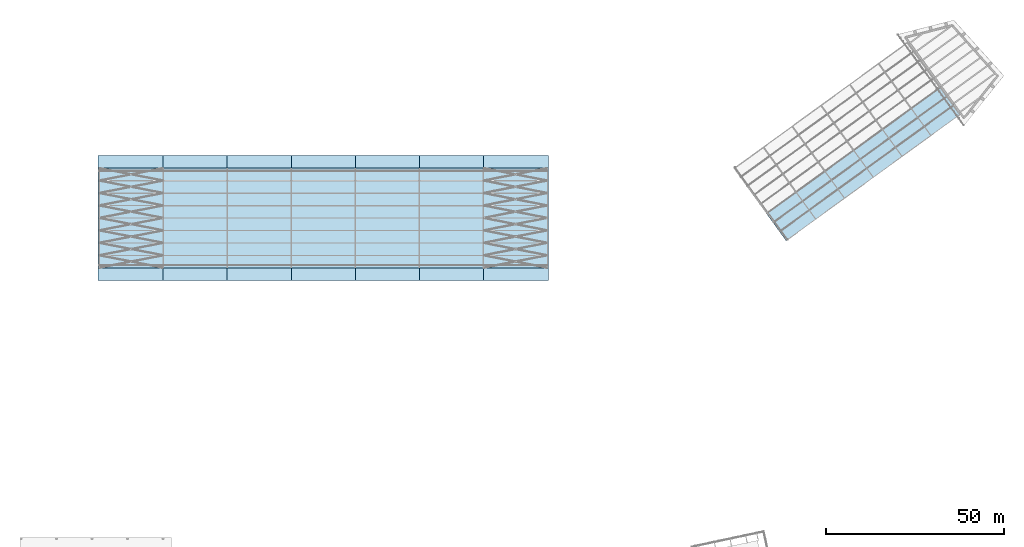
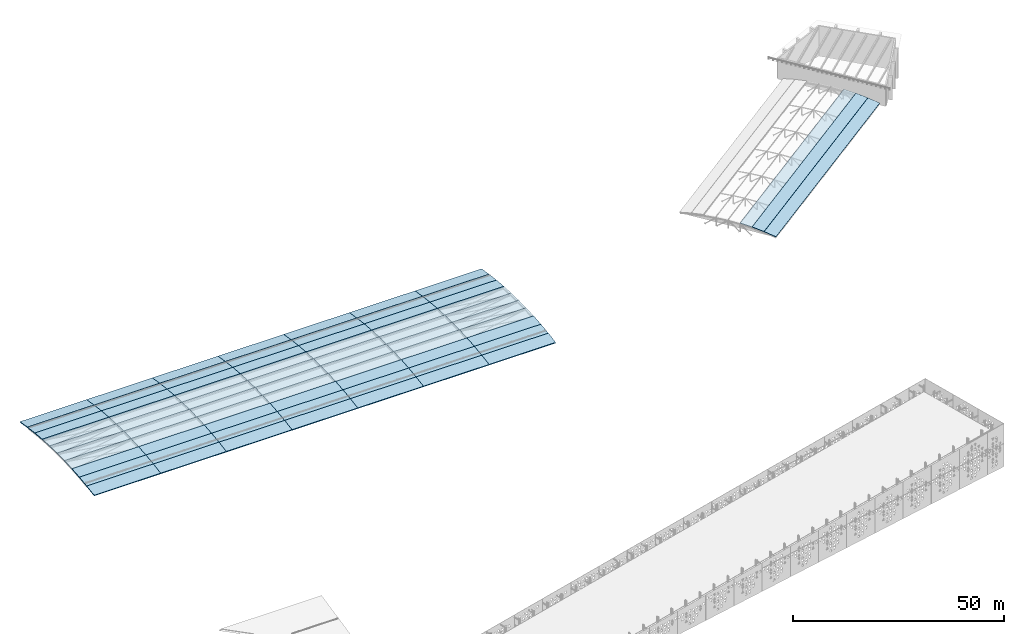
# One storey, part 29 of 41: 73 slabs.
"""IFC4 building model written with IfcOpenShell, lengths in metres."""

from ifc_helpers import new_model, si_unit, direction, frame, origin, place, context, subcontext, project, spatial, polyline, outline, extrude, material, layer, layer_set, type_object, element, save


model = new_model("IFC4")

# Units and contexts
model_context = context("Model", 3, precision=1e-05, world=origin(), true_north=direction((0.0, 1.0)))
body_context = subcontext(model_context, "Body", "Model", "MODEL_VIEW")
ifc_project = project(units=[si_unit("LENGTHUNIT", "METRE"), si_unit("AREAUNIT", "SQUARE_METRE"), si_unit("VOLUMEUNIT", "CUBIC_METRE"), si_unit("PLANEANGLEUNIT", "RADIAN"), si_unit("MASSUNIT", "GRAM", prefix="KILO")], contexts=[model_context])

# Site, building, storey
site_placement = place(None, origin())
site = spatial("IfcSite", under=ifc_project, at=site_placement, CompositionType="ELEMENT")
building_placement = place(site_placement, origin())
building = spatial("IfcBuilding", under=site, at=building_placement, Name="Okhra Congress Centre", CompositionType="ELEMENT")
storey_placement = place(building_placement, frame((0.0, 0.0, 21.60009765625)))
storey = spatial("IfcBuildingStorey", under=building, at=storey_placement, Name="ROOF", CompositionType="ELEMENT", Elevation=21.60009765625)

# Slabs
ifc_material_1 = material(Name="Insulated metal roof panel (mineral wool core), standing seam")
ifc_layer_1 = layer(ifc_material_1, 0.14990234375)
ifc_layer_set_1 = layer_set([ifc_layer_1], Name="Insulated roof panel 150")
slab_type_1 = type_object("IfcSlabType", Name="Insulated roof panel 150", PredefinedType="ROOF", material=ifc_layer_set_1)
slab_1_placement = place(storey_placement, frame((221.07861328125, 167.616943359375, 0.530029296875), z_axis=(0.118877922146, -0.163620815098, 0.979334604971), x_axis=(0.809015956282, 0.587786681102, 0.0)))
element("IfcSlab", 1, at=slab_1_placement, inside=storey, type_object=slab_type_1, Name="Roof panel 6", PredefinedType="ROOF", context=body_context, shape_type="SweptSolid", body=[
    extrude(outline(polyline([(0.0, 0.0), (60.600000292731586, 3.552713678800501e-15), (60.599917667514426, 3.142192268135243), (-8.262521716440041e-05, 3.142192268135243), (0.0, 0.0)])), origin(), (0.0, 0.0, -1.0), 0.14990234375),
])
slab_2_placement = place(storey_placement, frame((219.253173828125, 170.12939453125, 1.17041015625), z_axis=(0.085218994778, -0.117293850035, 0.989434118915), x_axis=(0.809015976417, 0.587786653389, 2.33776e-07)))
element("IfcSlab", 2, at=slab_2_placement, inside=storey, type_object=slab_type_1, Name="Roof panel 7", PredefinedType="ROOF", context=body_context, shape_type="SweptSolid", body=[
    extrude(outline(polyline([(0.0, 0.0), (60.6000002927299, -3.552713678800501e-15), (60.59997440307236, 3.1421039286152057), (0.00011761294338062751, 3.1422993553705503), (0.0, 0.0)])), origin(), (0.0, 0.0, -1.0), 0.14990234375),
])
slab_3_placement = place(storey_placement, frame((217.408935546875, 172.667724609375, 1.629150390625), z_axis=(0.051241022077, -0.070526954437, 0.996192906196), x_axis=(0.809015956282, 0.587786681102, 0.0)))
element("IfcSlab", 3, at=slab_3_placement, inside=storey, type_object=slab_type_1, Name="Roof panel 8", PredefinedType="ROOF", context=body_context, shape_type="SweptSolid", body=[
    extrude(outline(polyline([(0.0, 0.0), (60.600000292731586, -3.552713678800501e-15), (60.60008989149544, 3.142207538054408), (8.959876385450372e-05, 3.1422075380544134), (0.0, 0.0)])), origin(), (0.0, 0.0, -1.0), 0.14990234375),
])
ifc_material_2 = material(Name="Insulated metal sandwich roof panel (mineral wool core)")
ifc_layer_2 = layer(ifc_material_2, 0.25)
ifc_layer_set_2 = layer_set([ifc_layer_2], Name="Insulated roof panel 250")
slab_type_2 = type_object("IfcSlabType", Name="Insulated roof panel 250", PredefinedType="ROOF", material=ifc_layer_set_2)
slab_4_placement = place(storey_placement, frame((27.75, 156.4111328125, 0.12548828125), z_axis=(0.0, -0.159831202104, 0.987144359673), x_axis=(1.0, 0.0, 0.0)))
element("IfcSlab", 4, at=slab_4_placement, inside=storey, type_object=slab_type_2, Name="EH.SLAB.ROOF.RP1-08", PredefinedType="ROOF", context=body_context, shape_type="SweptSolid", body=[
    extrude(outline(polyline([(0.0, 0.0), (18.25, 0.0), (18.25, 3.5636350764246174), (0.0, 3.5636350764246174), (0.0, 0.0)])), origin(), (0.0, 0.0, -1.0), 0.25),
])
slab_5_placement = place(storey_placement, frame((27.75, 159.928955078125, 0.695068359375), z_axis=(0.0, -0.124365266622, 0.992236504296), x_axis=(1.0, 0.0, 0.0)))
element("IfcSlab", 5, at=slab_5_placement, inside=storey, type_object=slab_type_2, Name="EH.SLAB.ROOF.RP1-09", PredefinedType="ROOF", context=body_context, shape_type="SweptSolid", body=[
    extrude(outline(polyline([(0.0, 0.0), (18.25, 0.0), (18.25, 3.545346548321283), (0.0, 3.545346548321283), (0.0, 0.0)])), origin(), (0.0, 0.0, -1.0), 0.25),
])
slab_6_placement = place(storey_placement, frame((27.75, 163.44677734375, 1.135986328125), z_axis=(0.0, -0.088833959355, 0.996046448548), x_axis=(1.0, 0.0, 0.0)))
element("IfcSlab", 6, at=slab_6_placement, inside=storey, type_object=slab_type_2, Name="EH.SLAB.ROOF.RP1-10", PredefinedType="ROOF", context=body_context, shape_type="SweptSolid", body=[
    extrude(outline(polyline([(0.0, 0.0), (18.25, 0.0), (18.25, 3.5315402510870175), (0.0, 3.5315402510870175), (0.0, 0.0)])), origin(), (0.0, 0.0, -1.0), 0.25),
])
slab_7_placement = place(storey_placement, frame((27.75, 166.96435546875, 1.44970703125), z_axis=(0.0, -0.053293577936, 0.998578887495), x_axis=(1.0, 0.0, 0.0)))
element("IfcSlab", 7, at=slab_7_placement, inside=storey, type_object=slab_type_2, Name="EH.SLAB.ROOF.RP1-11", PredefinedType="ROOF", context=body_context, shape_type="SweptSolid", body=[
    extrude(outline(polyline([(0.0, 0.0), (18.25, 0.0), (18.25, 3.5228286014034276), (0.0, 3.5228286014034276), (0.0, 0.0)])), origin(), (0.0, 0.0, -1.0), 0.25),
])
for number, where, z_axis, x_axis, name in (
    (8, (27.75, 170.482177734375, 1.637451171875), (0.0, -0.017763870204, 0.999842210009), (1.0, 0.0, 0.0), "EH.SLAB.ROOF.RP1-12"),
    (9, (27.75, 174.0, 1.699951171875), (0.0, 0.017763870204, 0.999842210009), (1.0, 0.0, 0.0), "EH.SLAB.ROOF.RP1-13"),
):
    element("IfcSlab", number, at=place(storey_placement, frame(where, z_axis=z_axis, x_axis=x_axis)), inside=storey, type_object=slab_type_2, Name=name, PredefinedType="ROOF", context=body_context, shape_type="SweptSolid", body=[
        extrude(outline(polyline([(0.0, 0.0), (18.25, 0.0), (18.25, 3.518377430368579), (0.0, 3.518377430368579), (0.0, 0.0)])), origin(), (0.0, 0.0, -1.0), 0.25),
    ])
slab_8_placement = place(storey_placement, frame((27.75, 177.517822265625, 1.637451171875), z_axis=(0.0, 0.053293577936, 0.998578887495), x_axis=(1.0, 0.0, 0.0)))
element("IfcSlab", 10, at=slab_8_placement, inside=storey, type_object=slab_type_2, Name="EH.SLAB.ROOF.RP1-14", PredefinedType="ROOF", context=body_context, shape_type="SweptSolid", body=[
    extrude(outline(polyline([(0.0, 0.0), (18.25, 0.0), (18.25, 3.5228286014034276), (0.0, 3.5228286014034276), (0.0, 0.0)])), origin(), (0.0, 0.0, -1.0), 0.25),
])
slab_9_placement = place(storey_placement, frame((27.75, 181.03564453125, 1.44970703125), z_axis=(0.0, 0.088833959355, 0.996046448548), x_axis=(1.0, 0.0, 0.0)))
element("IfcSlab", 11, at=slab_9_placement, inside=storey, type_object=slab_type_2, Name="EH.SLAB.ROOF.RP1-15", PredefinedType="ROOF", context=body_context, shape_type="SweptSolid", body=[
    extrude(outline(polyline([(0.0, 0.0), (18.25, 0.0), (18.25, 3.5315402510870175), (0.0, 3.5315402510870175), (0.0, 0.0)])), origin(), (0.0, 0.0, -1.0), 0.25),
])
slab_10_placement = place(storey_placement, frame((27.75, 184.55322265625, 1.135986328125), z_axis=(0.0, 0.124365266622, 0.992236504296), x_axis=(1.0, 0.0, 0.0)))
element("IfcSlab", 12, at=slab_10_placement, inside=storey, type_object=slab_type_2, Name="EH.SLAB.ROOF.RP1-16", PredefinedType="ROOF", context=body_context, shape_type="SweptSolid", body=[
    extrude(outline(polyline([(0.0, 0.0), (18.25, 0.0), (18.25, 3.545346548321283), (0.0, 3.545346548321283), (0.0, 0.0)])), origin(), (0.0, 0.0, -1.0), 0.25),
])
slab_11_placement = place(storey_placement, frame((27.75, 188.071044921875, 0.695068359375), z_axis=(0.0, 0.159831202104, 0.987144359673), x_axis=(1.0, 0.0, 0.0)))
element("IfcSlab", 13, at=slab_11_placement, inside=storey, type_object=slab_type_2, Name="EH.SLAB.ROOF.RP1-17", PredefinedType="ROOF", context=body_context, shape_type="SweptSolid", body=[
    extrude(outline(polyline([(0.0, 0.0), (18.25, 0.0), (18.25, 3.5636350764246174), (0.0, 3.5636350764246174), (0.0, 0.0)])), origin(), (0.0, 0.0, -1.0), 0.25),
])
slab_12_placement = place(storey_placement, frame((46.0, 156.4111328125, 0.12548828125), z_axis=(0.0, -0.159831202104, 0.987144359673), x_axis=(1.0, 0.0, 0.0)))
element("IfcSlab", 14, at=slab_12_placement, inside=storey, type_object=slab_type_2, Name="EH.SLAB.ROOF.RP2-08", PredefinedType="ROOF", context=body_context, shape_type="SweptSolid", body=[
    extrude(outline(polyline([(0.0, 0.0), (18.0, 0.0), (18.0, 3.5636350764246174), (0.0, 3.5636350764246174), (0.0, 0.0)])), origin(), (0.0, 0.0, -1.0), 0.25),
])
slab_13_placement = place(storey_placement, frame((46.0, 159.928955078125, 0.695068359375), z_axis=(0.0, -0.124365266622, 0.992236504296), x_axis=(1.0, 0.0, 0.0)))
element("IfcSlab", 15, at=slab_13_placement, inside=storey, type_object=slab_type_2, Name="EH.SLAB.ROOF.RP2-09", PredefinedType="ROOF", context=body_context, shape_type="SweptSolid", body=[
    extrude(outline(polyline([(0.0, 0.0), (18.0, 0.0), (18.0, 3.5453465483212834), (0.0, 3.5453465483212834), (0.0, 0.0)])), origin(), (0.0, 0.0, -1.0), 0.25),
])
slab_14_placement = place(storey_placement, frame((46.0, 163.44677734375, 1.135986328125), z_axis=(0.0, -0.088833959355, 0.996046448548), x_axis=(1.0, 0.0, 0.0)))
element("IfcSlab", 16, at=slab_14_placement, inside=storey, type_object=slab_type_2, Name="EH.SLAB.ROOF.RP2-10", PredefinedType="ROOF", context=body_context, shape_type="SweptSolid", body=[
    extrude(outline(polyline([(0.0, 0.0), (18.0, 0.0), (18.0, 3.531540251087018), (0.0, 3.531540251087018), (0.0, 0.0)])), origin(), (0.0, 0.0, -1.0), 0.25),
])
slab_15_placement = place(storey_placement, frame((46.0, 166.96435546875, 1.44970703125), z_axis=(0.0, -0.053293577936, 0.998578887495), x_axis=(1.0, 0.0, 0.0)))
element("IfcSlab", 17, at=slab_15_placement, inside=storey, type_object=slab_type_2, Name="EH.SLAB.ROOF.RP2-11", PredefinedType="ROOF", context=body_context, shape_type="SweptSolid", body=[
    extrude(outline(polyline([(0.0, 0.0), (18.0, 0.0), (18.0, 3.522828601403427), (0.0, 3.522828601403427), (0.0, 0.0)])), origin(), (0.0, 0.0, -1.0), 0.25),
])
for number, where, z_axis, x_axis, name in (
    (18, (46.0, 170.482177734375, 1.637451171875), (0.0, -0.017763870204, 0.999842210009), (1.0, 0.0, 0.0), "EH.SLAB.ROOF.RP2-12"),
    (19, (46.0, 174.0, 1.699951171875), (0.0, 0.017763870204, 0.999842210009), (1.0, 0.0, 0.0), "EH.SLAB.ROOF.RP2-13"),
):
    element("IfcSlab", number, at=place(storey_placement, frame(where, z_axis=z_axis, x_axis=x_axis)), inside=storey, type_object=slab_type_2, Name=name, PredefinedType="ROOF", context=body_context, shape_type="SweptSolid", body=[
        extrude(outline(polyline([(0.0, 0.0), (18.0, 0.0), (18.0, 3.5183774303685795), (0.0, 3.5183774303685795), (0.0, 0.0)])), origin(), (0.0, 0.0, -1.0), 0.25),
    ])
slab_16_placement = place(storey_placement, frame((46.0, 177.517822265625, 1.637451171875), z_axis=(0.0, 0.053293577936, 0.998578887495), x_axis=(1.0, 0.0, 0.0)))
element("IfcSlab", 20, at=slab_16_placement, inside=storey, type_object=slab_type_2, Name="EH.SLAB.ROOF.RP2-14", PredefinedType="ROOF", context=body_context, shape_type="SweptSolid", body=[
    extrude(outline(polyline([(0.0, 0.0), (18.0, 0.0), (18.0, 3.522828601403427), (0.0, 3.522828601403427), (0.0, 0.0)])), origin(), (0.0, 0.0, -1.0), 0.25),
])
slab_17_placement = place(storey_placement, frame((46.0, 181.03564453125, 1.44970703125), z_axis=(0.0, 0.088833959355, 0.996046448548), x_axis=(1.0, 0.0, 0.0)))
element("IfcSlab", 21, at=slab_17_placement, inside=storey, type_object=slab_type_2, Name="EH.SLAB.ROOF.RP2-15", PredefinedType="ROOF", context=body_context, shape_type="SweptSolid", body=[
    extrude(outline(polyline([(0.0, 0.0), (18.0, 0.0), (18.0, 3.531540251087018), (0.0, 3.531540251087018), (0.0, 0.0)])), origin(), (0.0, 0.0, -1.0), 0.25),
])
slab_18_placement = place(storey_placement, frame((46.0, 184.55322265625, 1.135986328125), z_axis=(0.0, 0.124365266622, 0.992236504296), x_axis=(1.0, 0.0, 0.0)))
element("IfcSlab", 22, at=slab_18_placement, inside=storey, type_object=slab_type_2, Name="EH.SLAB.ROOF.RP2-16", PredefinedType="ROOF", context=body_context, shape_type="SweptSolid", body=[
    extrude(outline(polyline([(0.0, 0.0), (18.0, 0.0), (18.0, 3.5453465483212834), (0.0, 3.5453465483212834), (0.0, 0.0)])), origin(), (0.0, 0.0, -1.0), 0.25),
])
for number, where, z_axis, x_axis, name in (
    (23, (46.0, 188.071044921875, 0.695068359375), (0.0, 0.159831202104, 0.987144359673), (1.0, 0.0, 0.0), "EH.SLAB.ROOF.RP2-17"),
    (24, (64.0, 156.4111328125, 0.12548828125), (0.0, -0.159831202104, 0.987144359673), (1.0, 0.0, 0.0), "EH.SLAB.ROOF.RP3-08"),
):
    element("IfcSlab", number, at=place(storey_placement, frame(where, z_axis=z_axis, x_axis=x_axis)), inside=storey, type_object=slab_type_2, Name=name, PredefinedType="ROOF", context=body_context, shape_type="SweptSolid", body=[
        extrude(outline(polyline([(0.0, 0.0), (18.0, 0.0), (18.0, 3.5636350764246174), (0.0, 3.5636350764246174), (0.0, 0.0)])), origin(), (0.0, 0.0, -1.0), 0.25),
    ])
slab_19_placement = place(storey_placement, frame((64.0, 159.928955078125, 0.695068359375), z_axis=(0.0, -0.124365266622, 0.992236504296), x_axis=(1.0, 0.0, 0.0)))
element("IfcSlab", 25, at=slab_19_placement, inside=storey, type_object=slab_type_2, Name="EH.SLAB.ROOF.RP3-09", PredefinedType="ROOF", context=body_context, shape_type="SweptSolid", body=[
    extrude(outline(polyline([(0.0, 0.0), (18.0, 0.0), (18.0, 3.5453465483212834), (0.0, 3.5453465483212834), (0.0, 0.0)])), origin(), (0.0, 0.0, -1.0), 0.25),
])
slab_20_placement = place(storey_placement, frame((64.0, 163.44677734375, 1.135986328125), z_axis=(0.0, -0.088833959355, 0.996046448548), x_axis=(1.0, 0.0, 0.0)))
element("IfcSlab", 26, at=slab_20_placement, inside=storey, type_object=slab_type_2, Name="EH.SLAB.ROOF.RP3-10", PredefinedType="ROOF", context=body_context, shape_type="SweptSolid", body=[
    extrude(outline(polyline([(0.0, 0.0), (18.0, 0.0), (18.0, 3.531540251087018), (0.0, 3.531540251087018), (0.0, 0.0)])), origin(), (0.0, 0.0, -1.0), 0.25),
])
slab_21_placement = place(storey_placement, frame((64.0, 166.96435546875, 1.44970703125), z_axis=(0.0, -0.053293577936, 0.998578887495), x_axis=(1.0, 0.0, 0.0)))
element("IfcSlab", 27, at=slab_21_placement, inside=storey, type_object=slab_type_2, Name="EH.SLAB.ROOF.RP3-11", PredefinedType="ROOF", context=body_context, shape_type="SweptSolid", body=[
    extrude(outline(polyline([(0.0, 0.0), (18.0, 0.0), (18.0, 3.522828601403427), (0.0, 3.522828601403427), (0.0, 0.0)])), origin(), (0.0, 0.0, -1.0), 0.25),
])
for number, where, z_axis, x_axis, name in (
    (28, (64.0, 170.482177734375, 1.637451171875), (0.0, -0.017763870204, 0.999842210009), (1.0, 0.0, 0.0), "EH.SLAB.ROOF.RP3-12"),
    (29, (64.0, 174.0, 1.699951171875), (0.0, 0.017763870204, 0.999842210009), (1.0, 0.0, 0.0), "EH.SLAB.ROOF.RP3-13"),
):
    element("IfcSlab", number, at=place(storey_placement, frame(where, z_axis=z_axis, x_axis=x_axis)), inside=storey, type_object=slab_type_2, Name=name, PredefinedType="ROOF", context=body_context, shape_type="SweptSolid", body=[
        extrude(outline(polyline([(0.0, 0.0), (18.0, 0.0), (18.0, 3.5183774303685795), (0.0, 3.5183774303685795), (0.0, 0.0)])), origin(), (0.0, 0.0, -1.0), 0.25),
    ])
slab_22_placement = place(storey_placement, frame((64.0, 177.517822265625, 1.637451171875), z_axis=(0.0, 0.053293577936, 0.998578887495), x_axis=(1.0, 0.0, 0.0)))
element("IfcSlab", 30, at=slab_22_placement, inside=storey, type_object=slab_type_2, Name="EH.SLAB.ROOF.RP3-14", PredefinedType="ROOF", context=body_context, shape_type="SweptSolid", body=[
    extrude(outline(polyline([(0.0, 0.0), (18.0, 0.0), (18.0, 3.522828601403427), (0.0, 3.522828601403427), (0.0, 0.0)])), origin(), (0.0, 0.0, -1.0), 0.25),
])
slab_23_placement = place(storey_placement, frame((64.0, 181.03564453125, 1.44970703125), z_axis=(0.0, 0.088833959355, 0.996046448548), x_axis=(1.0, 0.0, 0.0)))
element("IfcSlab", 31, at=slab_23_placement, inside=storey, type_object=slab_type_2, Name="EH.SLAB.ROOF.RP3-15", PredefinedType="ROOF", context=body_context, shape_type="SweptSolid", body=[
    extrude(outline(polyline([(0.0, 0.0), (18.0, 0.0), (18.0, 3.531540251087018), (0.0, 3.531540251087018), (0.0, 0.0)])), origin(), (0.0, 0.0, -1.0), 0.25),
])
slab_24_placement = place(storey_placement, frame((64.0, 184.55322265625, 1.135986328125), z_axis=(0.0, 0.124365266622, 0.992236504296), x_axis=(1.0, 0.0, 0.0)))
element("IfcSlab", 32, at=slab_24_placement, inside=storey, type_object=slab_type_2, Name="EH.SLAB.ROOF.RP3-16", PredefinedType="ROOF", context=body_context, shape_type="SweptSolid", body=[
    extrude(outline(polyline([(0.0, 0.0), (18.0, 0.0), (18.0, 3.5453465483212834), (0.0, 3.5453465483212834), (0.0, 0.0)])), origin(), (0.0, 0.0, -1.0), 0.25),
])
for number, where, z_axis, x_axis, name in (
    (33, (64.0, 188.071044921875, 0.695068359375), (0.0, 0.159831202104, 0.987144359673), (1.0, 0.0, 0.0), "EH.SLAB.ROOF.RP3-17"),
    (34, (82.0, 156.4111328125, 0.12548828125), (0.0, -0.159831202104, 0.987144359673), (1.0, 0.0, 0.0), "EH.SLAB.ROOF.RP4-08"),
):
    element("IfcSlab", number, at=place(storey_placement, frame(where, z_axis=z_axis, x_axis=x_axis)), inside=storey, type_object=slab_type_2, Name=name, PredefinedType="ROOF", context=body_context, shape_type="SweptSolid", body=[
        extrude(outline(polyline([(0.0, 0.0), (18.0, 0.0), (18.0, 3.5636350764246174), (0.0, 3.5636350764246174), (0.0, 0.0)])), origin(), (0.0, 0.0, -1.0), 0.25),
    ])
slab_25_placement = place(storey_placement, frame((82.0, 159.928955078125, 0.695068359375), z_axis=(0.0, -0.124365266622, 0.992236504296), x_axis=(1.0, 0.0, 0.0)))
element("IfcSlab", 35, at=slab_25_placement, inside=storey, type_object=slab_type_2, Name="EH.SLAB.ROOF.RP4-09", PredefinedType="ROOF", context=body_context, shape_type="SweptSolid", body=[
    extrude(outline(polyline([(0.0, 0.0), (18.0, 0.0), (18.0, 3.5453465483212834), (0.0, 3.5453465483212834), (0.0, 0.0)])), origin(), (0.0, 0.0, -1.0), 0.25),
])
slab_26_placement = place(storey_placement, frame((82.0, 163.44677734375, 1.135986328125), z_axis=(0.0, -0.088833959355, 0.996046448548), x_axis=(1.0, 0.0, 0.0)))
element("IfcSlab", 36, at=slab_26_placement, inside=storey, type_object=slab_type_2, Name="EH.SLAB.ROOF.RP4-10", PredefinedType="ROOF", context=body_context, shape_type="SweptSolid", body=[
    extrude(outline(polyline([(0.0, 0.0), (18.0, 0.0), (18.0, 3.531540251087018), (0.0, 3.531540251087018), (0.0, 0.0)])), origin(), (0.0, 0.0, -1.0), 0.25),
])
slab_27_placement = place(storey_placement, frame((82.0, 166.96435546875, 1.44970703125), z_axis=(0.0, -0.053293577936, 0.998578887495), x_axis=(1.0, 0.0, 0.0)))
element("IfcSlab", 37, at=slab_27_placement, inside=storey, type_object=slab_type_2, Name="EH.SLAB.ROOF.RP4-11", PredefinedType="ROOF", context=body_context, shape_type="SweptSolid", body=[
    extrude(outline(polyline([(0.0, 0.0), (18.0, 0.0), (18.0, 3.522828601403427), (0.0, 3.522828601403427), (0.0, 0.0)])), origin(), (0.0, 0.0, -1.0), 0.25),
])
for number, where, z_axis, x_axis, name in (
    (38, (82.0, 170.482177734375, 1.637451171875), (0.0, -0.017763870204, 0.999842210009), (1.0, 0.0, 0.0), "EH.SLAB.ROOF.RP4-12"),
    (39, (82.0, 174.0, 1.699951171875), (0.0, 0.017763870204, 0.999842210009), (1.0, 0.0, 0.0), "EH.SLAB.ROOF.RP4-13"),
):
    element("IfcSlab", number, at=place(storey_placement, frame(where, z_axis=z_axis, x_axis=x_axis)), inside=storey, type_object=slab_type_2, Name=name, PredefinedType="ROOF", context=body_context, shape_type="SweptSolid", body=[
        extrude(outline(polyline([(0.0, 0.0), (18.0, 0.0), (18.0, 3.5183774303685795), (0.0, 3.5183774303685795), (0.0, 0.0)])), origin(), (0.0, 0.0, -1.0), 0.25),
    ])
slab_28_placement = place(storey_placement, frame((82.0, 177.517822265625, 1.637451171875), z_axis=(0.0, 0.053293577936, 0.998578887495), x_axis=(1.0, 0.0, 0.0)))
element("IfcSlab", 40, at=slab_28_placement, inside=storey, type_object=slab_type_2, Name="EH.SLAB.ROOF.RP4-14", PredefinedType="ROOF", context=body_context, shape_type="SweptSolid", body=[
    extrude(outline(polyline([(0.0, 0.0), (18.0, 0.0), (18.0, 3.522828601403427), (0.0, 3.522828601403427), (0.0, 0.0)])), origin(), (0.0, 0.0, -1.0), 0.25),
])
slab_29_placement = place(storey_placement, frame((82.0, 181.03564453125, 1.44970703125), z_axis=(0.0, 0.088833959355, 0.996046448548), x_axis=(1.0, 0.0, 0.0)))
element("IfcSlab", 41, at=slab_29_placement, inside=storey, type_object=slab_type_2, Name="EH.SLAB.ROOF.RP4-15", PredefinedType="ROOF", context=body_context, shape_type="SweptSolid", body=[
    extrude(outline(polyline([(0.0, 0.0), (18.0, 0.0), (18.0, 3.531540251087018), (0.0, 3.531540251087018), (0.0, 0.0)])), origin(), (0.0, 0.0, -1.0), 0.25),
])
slab_30_placement = place(storey_placement, frame((82.0, 184.55322265625, 1.135986328125), z_axis=(0.0, 0.124365266622, 0.992236504296), x_axis=(1.0, 0.0, 0.0)))
element("IfcSlab", 42, at=slab_30_placement, inside=storey, type_object=slab_type_2, Name="EH.SLAB.ROOF.RP4-16", PredefinedType="ROOF", context=body_context, shape_type="SweptSolid", body=[
    extrude(outline(polyline([(0.0, 0.0), (18.0, 0.0), (18.0, 3.5453465483212834), (0.0, 3.5453465483212834), (0.0, 0.0)])), origin(), (0.0, 0.0, -1.0), 0.25),
])
for number, where, z_axis, x_axis, name in (
    (43, (82.0, 188.071044921875, 0.695068359375), (0.0, 0.159831202104, 0.987144359673), (1.0, 0.0, 0.0), "EH.SLAB.ROOF.RP4-17"),
    (44, (100.0, 156.4111328125, 0.12548828125), (0.0, -0.159831202104, 0.987144359673), (1.0, 0.0, 0.0), "EH.SLAB.ROOF.RP5-08"),
):
    element("IfcSlab", number, at=place(storey_placement, frame(where, z_axis=z_axis, x_axis=x_axis)), inside=storey, type_object=slab_type_2, Name=name, PredefinedType="ROOF", context=body_context, shape_type="SweptSolid", body=[
        extrude(outline(polyline([(0.0, 0.0), (18.0, 0.0), (18.0, 3.5636350764246174), (0.0, 3.5636350764246174), (0.0, 0.0)])), origin(), (0.0, 0.0, -1.0), 0.25),
    ])
slab_31_placement = place(storey_placement, frame((100.0, 159.928955078125, 0.695068359375), z_axis=(0.0, -0.124365266622, 0.992236504296), x_axis=(1.0, 0.0, 0.0)))
element("IfcSlab", 45, at=slab_31_placement, inside=storey, type_object=slab_type_2, Name="EH.SLAB.ROOF.RP5-09", PredefinedType="ROOF", context=body_context, shape_type="SweptSolid", body=[
    extrude(outline(polyline([(0.0, 0.0), (18.0, 0.0), (18.0, 3.5453465483212834), (0.0, 3.5453465483212834), (0.0, 0.0)])), origin(), (0.0, 0.0, -1.0), 0.25),
])
slab_32_placement = place(storey_placement, frame((100.0, 163.44677734375, 1.135986328125), z_axis=(0.0, -0.088833959355, 0.996046448548), x_axis=(1.0, 0.0, 0.0)))
element("IfcSlab", 46, at=slab_32_placement, inside=storey, type_object=slab_type_2, Name="EH.SLAB.ROOF.RP5-10", PredefinedType="ROOF", context=body_context, shape_type="SweptSolid", body=[
    extrude(outline(polyline([(0.0, 0.0), (18.0, 0.0), (18.0, 3.531540251087018), (0.0, 3.531540251087018), (0.0, 0.0)])), origin(), (0.0, 0.0, -1.0), 0.25),
])
slab_33_placement = place(storey_placement, frame((100.0, 166.96435546875, 1.44970703125), z_axis=(0.0, -0.053293577936, 0.998578887495), x_axis=(1.0, 0.0, 0.0)))
element("IfcSlab", 47, at=slab_33_placement, inside=storey, type_object=slab_type_2, Name="EH.SLAB.ROOF.RP5-11", PredefinedType="ROOF", context=body_context, shape_type="SweptSolid", body=[
    extrude(outline(polyline([(0.0, 0.0), (18.0, 0.0), (18.0, 3.522828601403427), (0.0, 3.522828601403427), (0.0, 0.0)])), origin(), (0.0, 0.0, -1.0), 0.25),
])
for number, where, z_axis, x_axis, name in (
    (48, (100.0, 170.482177734375, 1.637451171875), (0.0, -0.017763870204, 0.999842210009), (1.0, 0.0, 0.0), "EH.SLAB.ROOF.RP5-12"),
    (49, (100.0, 174.0, 1.699951171875), (0.0, 0.017763870204, 0.999842210009), (1.0, 0.0, 0.0), "EH.SLAB.ROOF.RP5-13"),
):
    element("IfcSlab", number, at=place(storey_placement, frame(where, z_axis=z_axis, x_axis=x_axis)), inside=storey, type_object=slab_type_2, Name=name, PredefinedType="ROOF", context=body_context, shape_type="SweptSolid", body=[
        extrude(outline(polyline([(0.0, 0.0), (18.0, 0.0), (18.0, 3.5183774303685795), (0.0, 3.5183774303685795), (0.0, 0.0)])), origin(), (0.0, 0.0, -1.0), 0.25),
    ])
slab_34_placement = place(storey_placement, frame((100.0, 177.517822265625, 1.637451171875), z_axis=(0.0, 0.053293577936, 0.998578887495), x_axis=(1.0, 0.0, 0.0)))
element("IfcSlab", 50, at=slab_34_placement, inside=storey, type_object=slab_type_2, Name="EH.SLAB.ROOF.RP5-14", PredefinedType="ROOF", context=body_context, shape_type="SweptSolid", body=[
    extrude(outline(polyline([(0.0, 0.0), (18.0, 0.0), (18.0, 3.522828601403427), (0.0, 3.522828601403427), (0.0, 0.0)])), origin(), (0.0, 0.0, -1.0), 0.25),
])
slab_35_placement = place(storey_placement, frame((100.0, 181.03564453125, 1.44970703125), z_axis=(0.0, 0.088833959355, 0.996046448548), x_axis=(1.0, 0.0, 0.0)))
element("IfcSlab", 51, at=slab_35_placement, inside=storey, type_object=slab_type_2, Name="EH.SLAB.ROOF.RP5-15", PredefinedType="ROOF", context=body_context, shape_type="SweptSolid", body=[
    extrude(outline(polyline([(0.0, 0.0), (18.0, 0.0), (18.0, 3.531540251087018), (0.0, 3.531540251087018), (0.0, 0.0)])), origin(), (0.0, 0.0, -1.0), 0.25),
])
slab_36_placement = place(storey_placement, frame((100.0, 184.55322265625, 1.135986328125), z_axis=(0.0, 0.124365266622, 0.992236504296), x_axis=(1.0, 0.0, 0.0)))
element("IfcSlab", 52, at=slab_36_placement, inside=storey, type_object=slab_type_2, Name="EH.SLAB.ROOF.RP5-16", PredefinedType="ROOF", context=body_context, shape_type="SweptSolid", body=[
    extrude(outline(polyline([(0.0, 0.0), (18.0, 0.0), (18.0, 3.5453465483212834), (0.0, 3.5453465483212834), (0.0, 0.0)])), origin(), (0.0, 0.0, -1.0), 0.25),
])
for number, where, z_axis, x_axis, name in (
    (53, (100.0, 188.071044921875, 0.695068359375), (0.0, 0.159831202104, 0.987144359673), (1.0, 0.0, 0.0), "EH.SLAB.ROOF.RP5-17"),
    (54, (118.0, 156.4111328125, 0.12548828125), (0.0, -0.159831202104, 0.987144359673), (1.0, 0.0, 0.0), "EH.SLAB.ROOF.RP6-08"),
):
    element("IfcSlab", number, at=place(storey_placement, frame(where, z_axis=z_axis, x_axis=x_axis)), inside=storey, type_object=slab_type_2, Name=name, PredefinedType="ROOF", context=body_context, shape_type="SweptSolid", body=[
        extrude(outline(polyline([(0.0, 0.0), (18.0, 0.0), (18.0, 3.5636350764246174), (0.0, 3.5636350764246174), (0.0, 0.0)])), origin(), (0.0, 0.0, -1.0), 0.25),
    ])
slab_37_placement = place(storey_placement, frame((118.0, 159.928955078125, 0.695068359375), z_axis=(0.0, -0.124365266622, 0.992236504296), x_axis=(1.0, 0.0, 0.0)))
element("IfcSlab", 55, at=slab_37_placement, inside=storey, type_object=slab_type_2, Name="EH.SLAB.ROOF.RP6-09", PredefinedType="ROOF", context=body_context, shape_type="SweptSolid", body=[
    extrude(outline(polyline([(0.0, 0.0), (18.0, 0.0), (18.0, 3.5453465483212834), (0.0, 3.5453465483212834), (0.0, 0.0)])), origin(), (0.0, 0.0, -1.0), 0.25),
])
slab_38_placement = place(storey_placement, frame((118.0, 163.44677734375, 1.135986328125), z_axis=(0.0, -0.088833959355, 0.996046448548), x_axis=(1.0, 0.0, 0.0)))
element("IfcSlab", 56, at=slab_38_placement, inside=storey, type_object=slab_type_2, Name="EH.SLAB.ROOF.RP6-10", PredefinedType="ROOF", context=body_context, shape_type="SweptSolid", body=[
    extrude(outline(polyline([(0.0, 0.0), (18.0, 0.0), (18.0, 3.531540251087018), (0.0, 3.531540251087018), (0.0, 0.0)])), origin(), (0.0, 0.0, -1.0), 0.25),
])
slab_39_placement = place(storey_placement, frame((118.0, 166.96435546875, 1.44970703125), z_axis=(0.0, -0.053293577936, 0.998578887495), x_axis=(1.0, 0.0, 0.0)))
element("IfcSlab", 57, at=slab_39_placement, inside=storey, type_object=slab_type_2, Name="EH.SLAB.ROOF.RP6-11", PredefinedType="ROOF", context=body_context, shape_type="SweptSolid", body=[
    extrude(outline(polyline([(0.0, 0.0), (18.0, 0.0), (18.0, 3.522828601403427), (0.0, 3.522828601403427), (0.0, 0.0)])), origin(), (0.0, 0.0, -1.0), 0.25),
])
for number, where, z_axis, x_axis, name in (
    (58, (118.0, 170.482177734375, 1.637451171875), (0.0, -0.017763870204, 0.999842210009), (1.0, 0.0, 0.0), "EH.SLAB.ROOF.RP6-12"),
    (59, (118.0, 174.0, 1.699951171875), (0.0, 0.017763870204, 0.999842210009), (1.0, 0.0, 0.0), "EH.SLAB.ROOF.RP6-13"),
):
    element("IfcSlab", number, at=place(storey_placement, frame(where, z_axis=z_axis, x_axis=x_axis)), inside=storey, type_object=slab_type_2, Name=name, PredefinedType="ROOF", context=body_context, shape_type="SweptSolid", body=[
        extrude(outline(polyline([(0.0, 0.0), (18.0, 0.0), (18.0, 3.5183774303685795), (0.0, 3.5183774303685795), (0.0, 0.0)])), origin(), (0.0, 0.0, -1.0), 0.25),
    ])
slab_40_placement = place(storey_placement, frame((118.0, 177.517822265625, 1.637451171875), z_axis=(0.0, 0.053293577936, 0.998578887495), x_axis=(1.0, 0.0, 0.0)))
element("IfcSlab", 60, at=slab_40_placement, inside=storey, type_object=slab_type_2, Name="EH.SLAB.ROOF.RP6-14", PredefinedType="ROOF", context=body_context, shape_type="SweptSolid", body=[
    extrude(outline(polyline([(0.0, 0.0), (18.0, 0.0), (18.0, 3.522828601403427), (0.0, 3.522828601403427), (0.0, 0.0)])), origin(), (0.0, 0.0, -1.0), 0.25),
])
slab_41_placement = place(storey_placement, frame((118.0, 181.03564453125, 1.44970703125), z_axis=(0.0, 0.088833959355, 0.996046448548), x_axis=(1.0, 0.0, 0.0)))
element("IfcSlab", 61, at=slab_41_placement, inside=storey, type_object=slab_type_2, Name="EH.SLAB.ROOF.RP6-15", PredefinedType="ROOF", context=body_context, shape_type="SweptSolid", body=[
    extrude(outline(polyline([(0.0, 0.0), (18.0, 0.0), (18.0, 3.531540251087018), (0.0, 3.531540251087018), (0.0, 0.0)])), origin(), (0.0, 0.0, -1.0), 0.25),
])
slab_42_placement = place(storey_placement, frame((118.0, 184.55322265625, 1.135986328125), z_axis=(0.0, 0.124365266622, 0.992236504296), x_axis=(1.0, 0.0, 0.0)))
element("IfcSlab", 62, at=slab_42_placement, inside=storey, type_object=slab_type_2, Name="EH.SLAB.ROOF.RP6-16", PredefinedType="ROOF", context=body_context, shape_type="SweptSolid", body=[
    extrude(outline(polyline([(0.0, 0.0), (18.0, 0.0), (18.0, 3.5453465483212834), (0.0, 3.5453465483212834), (0.0, 0.0)])), origin(), (0.0, 0.0, -1.0), 0.25),
])
slab_43_placement = place(storey_placement, frame((118.0, 188.071044921875, 0.695068359375), z_axis=(0.0, 0.159831202104, 0.987144359673), x_axis=(1.0, 0.0, 0.0)))
element("IfcSlab", 63, at=slab_43_placement, inside=storey, type_object=slab_type_2, Name="EH.SLAB.ROOF.RP6-17", PredefinedType="ROOF", context=body_context, shape_type="SweptSolid", body=[
    extrude(outline(polyline([(0.0, 0.0), (18.0, 0.0), (18.0, 3.5636350764246174), (0.0, 3.5636350764246174), (0.0, 0.0)])), origin(), (0.0, 0.0, -1.0), 0.25),
])
slab_44_placement = place(storey_placement, frame((136.0, 156.4111328125, 0.12548828125), z_axis=(0.0, -0.159831202104, 0.987144359673), x_axis=(1.0, 0.0, 0.0)))
element("IfcSlab", 64, at=slab_44_placement, inside=storey, type_object=slab_type_2, Name="EH.SLAB.ROOF.RP7-08", PredefinedType="ROOF", context=body_context, shape_type="SweptSolid", body=[
    extrude(outline(polyline([(0.0, 0.0), (18.25, 0.0), (18.25, 3.5636350764246174), (0.0, 3.5636350764246174), (0.0, 0.0)])), origin(), (0.0, 0.0, -1.0), 0.25),
])
slab_45_placement = place(storey_placement, frame((136.0, 159.928955078125, 0.695068359375), z_axis=(0.0, -0.124365266622, 0.992236504296), x_axis=(1.0, 0.0, 0.0)))
element("IfcSlab", 65, at=slab_45_placement, inside=storey, type_object=slab_type_2, Name="EH.SLAB.ROOF.RP7-09", PredefinedType="ROOF", context=body_context, shape_type="SweptSolid", body=[
    extrude(outline(polyline([(0.0, 0.0), (18.25, 0.0), (18.25, 3.545346548321283), (0.0, 3.545346548321283), (0.0, 0.0)])), origin(), (0.0, 0.0, -1.0), 0.25),
])
slab_46_placement = place(storey_placement, frame((136.0, 163.44677734375, 1.135986328125), z_axis=(0.0, -0.088833959355, 0.996046448548), x_axis=(1.0, 0.0, 0.0)))
element("IfcSlab", 66, at=slab_46_placement, inside=storey, type_object=slab_type_2, Name="EH.SLAB.ROOF.RP7-10", PredefinedType="ROOF", context=body_context, shape_type="SweptSolid", body=[
    extrude(outline(polyline([(0.0, 0.0), (18.25, 0.0), (18.25, 3.5315402510870175), (0.0, 3.5315402510870175), (0.0, 0.0)])), origin(), (0.0, 0.0, -1.0), 0.25),
])
slab_47_placement = place(storey_placement, frame((136.0, 166.96435546875, 1.44970703125), z_axis=(0.0, -0.053293577936, 0.998578887495), x_axis=(1.0, 0.0, 0.0)))
element("IfcSlab", 67, at=slab_47_placement, inside=storey, type_object=slab_type_2, Name="EH.SLAB.ROOF.RP7-11", PredefinedType="ROOF", context=body_context, shape_type="SweptSolid", body=[
    extrude(outline(polyline([(0.0, 0.0), (18.25, 0.0), (18.25, 3.5228286014034276), (0.0, 3.5228286014034276), (0.0, 0.0)])), origin(), (0.0, 0.0, -1.0), 0.25),
])
for number, where, z_axis, x_axis, name in (
    (68, (136.0, 170.482177734375, 1.637451171875), (0.0, -0.017763870204, 0.999842210009), (1.0, 0.0, 0.0), "EH.SLAB.ROOF.RP7-12"),
    (69, (136.0, 174.0, 1.699951171875), (0.0, 0.017763870204, 0.999842210009), (1.0, 0.0, 0.0), "EH.SLAB.ROOF.RP7-13"),
):
    element("IfcSlab", number, at=place(storey_placement, frame(where, z_axis=z_axis, x_axis=x_axis)), inside=storey, type_object=slab_type_2, Name=name, PredefinedType="ROOF", context=body_context, shape_type="SweptSolid", body=[
        extrude(outline(polyline([(0.0, 0.0), (18.25, 0.0), (18.25, 3.518377430368579), (0.0, 3.518377430368579), (0.0, 0.0)])), origin(), (0.0, 0.0, -1.0), 0.25),
    ])
slab_48_placement = place(storey_placement, frame((136.0, 177.517822265625, 1.637451171875), z_axis=(0.0, 0.053293577936, 0.998578887495), x_axis=(1.0, 0.0, 0.0)))
element("IfcSlab", 70, at=slab_48_placement, inside=storey, type_object=slab_type_2, Name="EH.SLAB.ROOF.RP7-14", PredefinedType="ROOF", context=body_context, shape_type="SweptSolid", body=[
    extrude(outline(polyline([(0.0, 0.0), (18.25, 0.0), (18.25, 3.5228286014034276), (0.0, 3.5228286014034276), (0.0, 0.0)])), origin(), (0.0, 0.0, -1.0), 0.25),
])
slab_49_placement = place(storey_placement, frame((136.0, 181.03564453125, 1.44970703125), z_axis=(0.0, 0.088833959355, 0.996046448548), x_axis=(1.0, 0.0, 0.0)))
element("IfcSlab", 71, at=slab_49_placement, inside=storey, type_object=slab_type_2, Name="EH.SLAB.ROOF.RP7-15", PredefinedType="ROOF", context=body_context, shape_type="SweptSolid", body=[
    extrude(outline(polyline([(0.0, 0.0), (18.25, 0.0), (18.25, 3.5315402510870175), (0.0, 3.5315402510870175), (0.0, 0.0)])), origin(), (0.0, 0.0, -1.0), 0.25),
])
slab_50_placement = place(storey_placement, frame((136.0, 184.55322265625, 1.135986328125), z_axis=(0.0, 0.124365266622, 0.992236504296), x_axis=(1.0, 0.0, 0.0)))
element("IfcSlab", 72, at=slab_50_placement, inside=storey, type_object=slab_type_2, Name="EH.SLAB.ROOF.RP7-16", PredefinedType="ROOF", context=body_context, shape_type="SweptSolid", body=[
    extrude(outline(polyline([(0.0, 0.0), (18.25, 0.0), (18.25, 3.545346548321283), (0.0, 3.545346548321283), (0.0, 0.0)])), origin(), (0.0, 0.0, -1.0), 0.25),
])
slab_51_placement = place(storey_placement, frame((136.0, 188.071044921875, 0.695068359375), z_axis=(0.0, 0.159831202104, 0.987144359673), x_axis=(1.0, 0.0, 0.0)))
element("IfcSlab", 73, at=slab_51_placement, inside=storey, type_object=slab_type_2, Name="EH.SLAB.ROOF.RP7-17", PredefinedType="ROOF", context=body_context, shape_type="SweptSolid", body=[
    extrude(outline(polyline([(0.0, 0.0), (18.25, 0.0), (18.25, 3.5636350764246174), (0.0, 3.5636350764246174), (0.0, 0.0)])), origin(), (0.0, 0.0, -1.0), 0.25),
])

save(model, "model.ifc")
